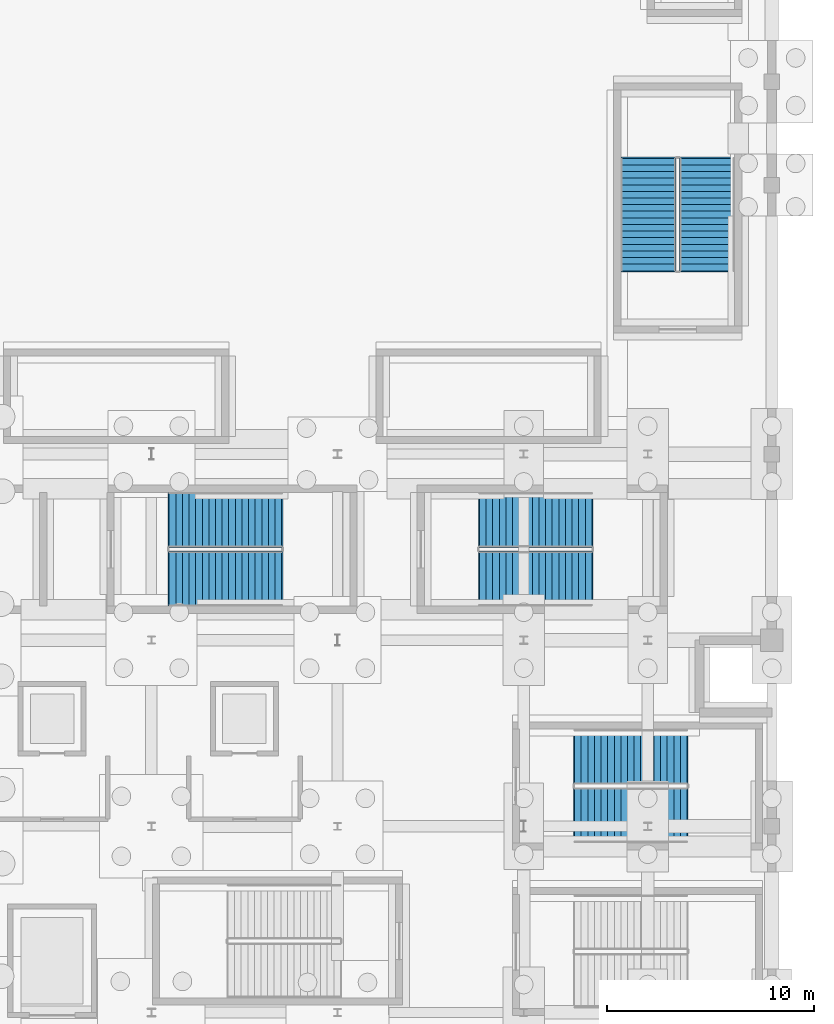
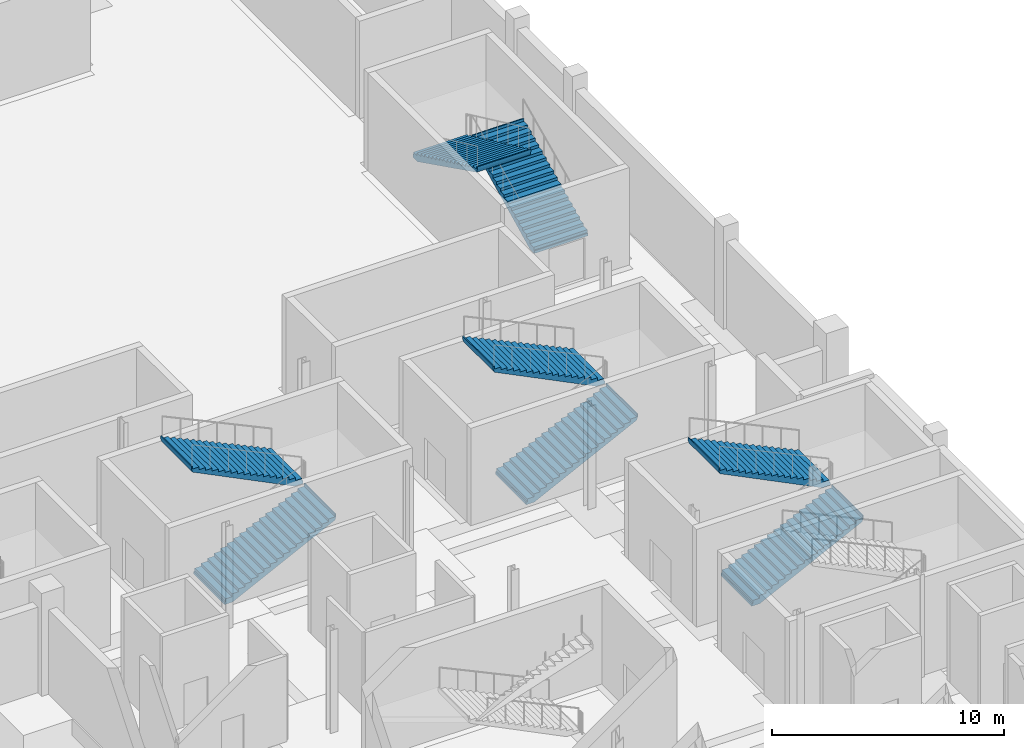
# One storey, part 48 of 58: 8 stair flights, 4 elements without a shape of their own.
"""IFC4 building model written with IfcOpenShell, lengths in metres."""

import ifcopenshell
import ifcopenshell.guid

model = None  # the IFC model being written
_history = None  # IfcOwnerHistory: only IFC2X3 demands one
_inside = {}  # id of a spatial element -> (the spatial element, [elements in it])
_under = {}  # id of a project, library or spatial element -> (it, [spatial elements below it])
_declared = {}  # id of a project -> (the project, [libraries it declares])
_typed = {}  # id of a type object -> (the type object, [elements of that type])
_made_of = {}  # id of a material, layer set ... -> (it, [elements and type objects made of it])


def new_model(schema):
    """Start an empty IFC model of exactly this schema.

    Asked for "IFC4X3", IfcOpenShell would pick the latest addendum, in which some entities
    have other attributes; the version numbers below select the first issue.
    IFC2X3 requires an IfcOwnerHistory on every rooted entity: one is made here for all.
    """
    global model, _history
    if schema == "IFC4X3":
        model = ifcopenshell.file(schema_version=(4, 3, 0, 0))
    else:
        model = ifcopenshell.file(schema=schema)
    _inside.clear()
    _under.clear()
    _declared.clear()
    _typed.clear()
    _made_of.clear()
    _history = None
    if model.schema == "IFC2X3":
        org = make("IfcOrganization", Name="unknown")
        user = make(
            "IfcPersonAndOrganization",
            ThePerson=make("IfcPerson", FamilyName="unknown"),
            TheOrganization=org,
        )
        app = make(
            "IfcApplication",
            ApplicationDeveloper=org,
            Version="unknown",
            ApplicationFullName="unknown",
            ApplicationIdentifier="unknown",
        )
        _history = make(
            "IfcOwnerHistory",
            OwningUser=user,
            OwningApplication=app,
            ChangeAction="ADDED",
            CreationDate=0,
        )
    return model


def make(cls, **values):
    """One entity of the class cls with the attributes given. An attribute that is None is left unset."""
    return model.create_entity(
        cls, **{name: value for name, value in values.items() if value is not None}
    )


def rooted(cls, **values):
    """An entity with a GlobalId (a new one), such as an element, a storey or a relation."""
    return make(cls, GlobalId=ifcopenshell.guid.new(), OwnerHistory=_history, **values)


def si_unit(unit_type, name, prefix=None):
    """IfcSIUnit, for example si_unit("LENGTHUNIT", "METRE", prefix="MILLI")."""
    return make("IfcSIUnit", UnitType=unit_type, Prefix=prefix, Name=name)


def assignment(units):
    """IfcUnitAssignment: the units of a project."""
    return None if units is None else make("IfcUnitAssignment", Units=units)


def point(xyz):
    """IfcCartesianPoint."""
    return None if xyz is None else make("IfcCartesianPoint", Coordinates=xyz)


def direction(xyz):
    """IfcDirection."""
    return None if xyz is None else make("IfcDirection", DirectionRatios=xyz)


def frame(location, z_axis=None, x_axis=None):
    """IfcAxis2Placement3D, a coordinate frame: its origin and axes. An axis left out is left unset."""
    return make(
        "IfcAxis2Placement3D",
        Location=point(location),
        Axis=direction(z_axis),
        RefDirection=direction(x_axis),
    )


def origin():
    """The frame at (0, 0, 0) with its axes left unset."""
    return frame((0.0, 0.0, 0.0))


def place(relative_to, where):
    """IfcLocalPlacement: puts the frame where relative to a parent placement (None: the world)."""
    return make(
        "IfcLocalPlacement", PlacementRelTo=relative_to, RelativePlacement=where
    )


def context(
    kind, dimensions, precision=None, world=None, true_north=None, identifier=None
):
    """IfcGeometricRepresentationContext, for example the 3D "Model" context."""
    return make(
        "IfcGeometricRepresentationContext",
        ContextIdentifier=identifier,
        ContextType=kind,
        CoordinateSpaceDimension=dimensions,
        Precision=precision,
        WorldCoordinateSystem=world,
        TrueNorth=true_north,
    )


def subcontext(parent, identifier, kind, view, scale=None):
    """IfcGeometricRepresentationSubContext, for example "Body" below "Model"."""
    return make(
        "IfcGeometricRepresentationSubContext",
        ContextIdentifier=identifier,
        ContextType=kind,
        ParentContext=parent,
        TargetScale=scale,
        TargetView=view,
    )


def project(units=None, contexts=None):
    """IfcProject with its units and contexts."""
    return rooted(
        "IfcProject",
        Name="project",
        RepresentationContexts=contexts,
        UnitsInContext=assignment(units),
    )


def spatial(cls, under=None, at=None, **own):
    """A site, building, storey or space (cls), placed at a placement, below another one or the project."""
    s = rooted(cls, ObjectPlacement=at, **own)
    if under is not None:
        _under.setdefault(under.id(), (under, []))[1].append(s)
    return s


def polyline(points):
    """IfcPolyline through the points."""
    return make("IfcPolyline", Points=[point(p) for p in points])


def outline(outer, holes=None, kind="AREA"):
    """IfcArbitraryClosedProfileDef: a profile drawn as a closed curve; with holes, ...WithVoids."""
    if holes is None:
        return make("IfcArbitraryClosedProfileDef", ProfileType=kind, OuterCurve=outer)
    return make(
        "IfcArbitraryProfileDefWithVoids",
        ProfileType=kind,
        OuterCurve=outer,
        InnerCurves=holes,
    )


def extrude(swept, where, along, depth):
    """IfcExtrudedAreaSolid: the profile swept, set in the frame where, extruded along a direction by depth."""
    return make(
        "IfcExtrudedAreaSolid",
        SweptArea=swept,
        Position=where,
        ExtrudedDirection=direction(along),
        Depth=depth,
    )


def shape(context_of_items, identifier, shape_type, items):
    """IfcShapeRepresentation: the items that make up one representation, for example the "Body"."""
    return make(
        "IfcShapeRepresentation",
        ContextOfItems=context_of_items,
        RepresentationIdentifier=identifier,
        RepresentationType=shape_type,
        Items=items,
    )


def material(Name=None, Category=None):
    """IfcMaterial."""
    return make("IfcMaterial", Name=Name, Category=Category)


def made_of(thing, what):
    """Note that an element or type object is made of a material, layer set ...; save() writes the relation."""
    if what is not None:
        _made_of.setdefault(what.id(), (what, []))[1].append(thing)
    return thing


def type_object(cls, material=None, **own):
    """A type object (cls), such as IfcWallType, which elements share."""
    return made_of(rooted(cls, **own), material)


def element(
    cls,
    number,
    at=None,
    inside=None,
    cuts=None,
    type_object=None,
    material=None,
    context=None,
    identifier="Body",
    shape_type=None,
    held_by="IfcProductDefinitionShape",
    body=None,
    shapes=None,
    **own,
):
    """One element of the class cls, such as IfcWall. Its Tag is "e" and its number.

    at: its placement. inside: the storey or other place that contains it. cuts: it is an
    opening in that element (IfcRelVoidsElement). A single representation is given by context,
    identifier, shape_type and body (its items); several are given by shapes. held_by: the class
    of the entity that holds the representations. save() writes the other relations.
    """
    e = rooted(cls, Tag="e%d" % number, ObjectPlacement=at, **own)
    if body is not None:
        shapes = [shape(context, identifier, shape_type, body)]
    if shapes is not None:
        e.Representation = make(held_by, Representations=shapes)
    if inside is not None:
        _inside.setdefault(inside.id(), (inside, []))[1].append(e)
    if cuts is not None:
        rooted(
            "IfcRelVoidsElement", RelatingBuildingElement=cuts, RelatedOpeningElement=e
        )
    if type_object is not None:
        _typed.setdefault(type_object.id(), (type_object, []))[1].append(e)
    return made_of(e, material)


def aggregate(whole, parts):
    """IfcRelAggregates: a whole, such as a stair, and the parts it consists of."""
    return rooted("IfcRelAggregates", RelatingObject=whole, RelatedObjects=parts)


def save(model, path):
    """Write the relations noted so far, then the file.

    IfcRelAggregates (storeys below a building ...), IfcRelContainedInSpatialStructure (elements
    in a storey), IfcRelDefinesByType, IfcRelAssociatesMaterial and IfcRelDeclares: one each for
    every whole, place, type object, material and project.
    """
    for whole, parts in _under.values():
        aggregate(whole, parts)
    for where, things in _inside.values():
        rooted(
            "IfcRelContainedInSpatialStructure",
            RelatedElements=things,
            RelatingStructure=where,
        )
    for kind, things in _typed.values():
        rooted("IfcRelDefinesByType", RelatedObjects=things, RelatingType=kind)
    for what, things in _made_of.values():
        rooted("IfcRelAssociatesMaterial", RelatedObjects=things, RelatingMaterial=what)
    for by, libraries in _declared.values():
        rooted("IfcRelDeclares", RelatingContext=by, RelatedDefinitions=libraries)
    model.write(path)


model = new_model("IFC4")

# Units and contexts
model_context = context("Model", 3, precision=1e-05, world=origin(), true_north=direction((0.0, 1.0)))
body_context = subcontext(model_context, "Body", "Model", "MODEL_VIEW")
ifc_project = project(units=[si_unit("LENGTHUNIT", "METRE"), si_unit("AREAUNIT", "SQUARE_METRE"), si_unit("VOLUMEUNIT", "CUBIC_METRE"), si_unit("PLANEANGLEUNIT", "RADIAN"), si_unit("MASSUNIT", "GRAM", prefix="KILO")], contexts=[model_context])

# Site, building, storey
site_placement = place(None, origin())
site = spatial("IfcSite", under=ifc_project, at=site_placement, CompositionType="ELEMENT")
building_placement = place(site_placement, origin())
building = spatial("IfcBuilding", under=site, at=building_placement, Name="Qamarlyn Nura Convention Centre", CompositionType="ELEMENT")
storey_placement = place(building_placement, frame((0.0, 0.0, -5.39990234375)))
storey = spatial("IfcBuildingStorey", under=building, at=storey_placement, Name="B01", CompositionType="ELEMENT", Elevation=-5.39990234375)

# Stair, stair flights
ifc_material = material(Name="Concrete C40/50", Category="concrete")
stair_type = type_object("IfcStairType", Name="STAIR-EXIT-54", PredefinedType="HALF_TURN_STAIR", material=ifc_material)
stair_1_placement = place(storey_placement, origin())
stair_1 = element("IfcStair", 1, at=stair_1_placement, inside=storey, type_object=stair_type, Name="B01 Enclosed exit stair ST-14", PredefinedType="HALF_TURN_STAIR")
stair_flight_type = type_object("IfcStairFlightType", Name="FLIGHT-EXIT-54", PredefinedType="STRAIGHT", material=ifc_material)
stair_flight_1_placement = place(storey_placement, frame((182.4599609375, 72.530029296875, 0.0), z_axis=(0.0, 0.0, 1.0), x_axis=(1.0, 0.0, 0.0)))
stair_flight_1 = element("IfcStairFlight", 2, at=stair_flight_1_placement, type_object=stair_flight_type, Name="ST-14 flight 1", NumberOfRisers=18, NumberOfTreads=17, PredefinedType="STRAIGHT", RiserHeight=0.15, TreadLength=0.32, context=body_context, shape_type="SweptSolid", body=[
    extrude(outline(polyline([(-0.054931640625, 0.0), (0.0, 0.0), (0.0, 0.14990234375), (0.320068359375, 0.14990234375), (0.320068359375, 0.300048828125), (0.639892578125, 0.300048828125), (0.639892578125, 0.449951171875), (0.9599609375, 0.449951171875), (0.9599609375, 0.60009765625), (1.280029296875, 0.60009765625), (1.280029296875, 0.75), (1.60009765625, 0.75), (1.60009765625, 0.89990234375), (1.919921875, 0.89990234375), (1.919921875, 1.050048828125), (2.239990234375, 1.050048828125), (2.239990234375, 1.199951171875), (2.56005859375, 1.199951171875), (2.56005859375, 1.35009765625), (2.8798828125, 1.35009765625), (2.8798828125, 1.5), (3.199951171875, 1.5), (3.199951171875, 1.64990234375), (3.52001953125, 1.64990234375), (3.52001953125, 1.800048828125), (3.840087890625, 1.800048828125), (3.840087890625, 1.949951171875), (4.159912109375, 1.949951171875), (4.159912109375, 2.10009765625), (4.47998046875, 2.10009765625), (4.47998046875, 2.25), (4.800048828125, 2.25), (4.800048828125, 2.39990234375), (5.1201171875, 2.39990234375), (5.1201171875, 2.550048828125), (5.43994140625, 2.550048828125), (5.43994140625, 2.699951171875), (5.494873046875, 2.699951171875), (5.494873046875, 2.56005859375), (5.43994140625, 2.384521484375), (0.353271484375, -0.139892578125), (-0.054931640625, -0.139892578125), (-0.054931640625, 0.0)])), frame((0.0, 1.330078125, 0.0), z_axis=(0.0, -1.0, 0.0), x_axis=(1.0, 0.0, 0.0)), (0.0, 0.0, 1.0), 2.659912109375),
])
stair_flight_2_placement = place(storey_placement, frame((187.89990234375, 75.3701171875, 2.699951171875), z_axis=(0.0, 0.0, 1.0), x_axis=(-1.0, 0.0, 0.0)))
stair_flight_2 = element("IfcStairFlight", 3, at=stair_flight_2_placement, type_object=stair_flight_type, Name="ST-14 flight 2", NumberOfRisers=18, NumberOfTreads=17, PredefinedType="STRAIGHT", RiserHeight=0.15, TreadLength=0.32, context=body_context, shape_type="SweptSolid", body=[
    extrude(outline(polyline([(-0.054931640625, 0.0), (0.0, 0.0), (0.0, 0.14990234375), (0.320068359375, 0.14990234375), (0.320068359375, 0.300048828125), (0.639892578125, 0.300048828125), (0.639892578125, 0.449951171875), (0.9599609375, 0.449951171875), (0.9599609375, 0.60009765625), (1.280029296875, 0.60009765625), (1.280029296875, 0.75), (1.60009765625, 0.75), (1.60009765625, 0.89990234375), (1.919921875, 0.89990234375), (1.919921875, 1.050048828125), (2.239990234375, 1.050048828125), (2.239990234375, 1.199951171875), (2.56005859375, 1.199951171875), (2.56005859375, 1.35009765625), (2.8798828125, 1.35009765625), (2.8798828125, 1.5), (3.199951171875, 1.5), (3.199951171875, 1.64990234375), (3.52001953125, 1.64990234375), (3.52001953125, 1.800048828125), (3.840087890625, 1.800048828125), (3.840087890625, 1.949951171875), (4.159912109375, 1.949951171875), (4.159912109375, 2.10009765625), (4.47998046875, 2.10009765625), (4.47998046875, 2.25), (4.800048828125, 2.25), (4.800048828125, 2.39990234375), (5.1201171875, 2.39990234375), (5.1201171875, 2.550048828125), (5.43994140625, 2.550048828125), (5.43994140625, 2.699951171875), (5.494873046875, 2.699951171875), (5.494873046875, 2.56005859375), (5.43994140625, 2.384521484375), (0.353271484375, -0.139892578125), (-0.054931640625, -0.139892578125), (-0.054931640625, 0.0)])), frame((0.0, 1.330078125, 0.0), z_axis=(0.0, -1.0, 0.0), x_axis=(1.0, 0.0, 0.0)), (0.0, 0.0, 1.0), 2.659912109375),
])
aggregate(stair_1, [stair_flight_1, stair_flight_2])

stair_2_placement = place(storey_placement, origin())
stair_2 = element("IfcStair", 4, at=stair_2_placement, inside=storey, type_object=stair_type, Name="B01 Enclosed exit stair ST-16", PredefinedType="HALF_TURN_STAIR")
stair_flight_3_placement = place(storey_placement, frame((162.860107421875, 83.97998046875, 0.0), z_axis=(0.0, 0.0, 1.0), x_axis=(1.0, 0.0, 0.0)))
stair_flight_3 = element("IfcStairFlight", 5, at=stair_flight_3_placement, type_object=stair_flight_type, Name="ST-16 flight 1", NumberOfRisers=18, NumberOfTreads=17, PredefinedType="STRAIGHT", RiserHeight=0.15, TreadLength=0.32, context=body_context, shape_type="SweptSolid", body=[
    extrude(outline(polyline([(-0.054931640625, 0.0), (0.0, 0.0), (0.0, 0.14990234375), (0.320068359375, 0.14990234375), (0.320068359375, 0.300048828125), (0.639892578125, 0.300048828125), (0.639892578125, 0.449951171875), (0.9599609375, 0.449951171875), (0.9599609375, 0.60009765625), (1.280029296875, 0.60009765625), (1.280029296875, 0.75), (1.60009765625, 0.75), (1.60009765625, 0.89990234375), (1.919921875, 0.89990234375), (1.919921875, 1.050048828125), (2.239990234375, 1.050048828125), (2.239990234375, 1.199951171875), (2.56005859375, 1.199951171875), (2.56005859375, 1.35009765625), (2.8798828125, 1.35009765625), (2.8798828125, 1.5), (3.199951171875, 1.5), (3.199951171875, 1.64990234375), (3.52001953125, 1.64990234375), (3.52001953125, 1.800048828125), (3.840087890625, 1.800048828125), (3.840087890625, 1.949951171875), (4.159912109375, 1.949951171875), (4.159912109375, 2.10009765625), (4.47998046875, 2.10009765625), (4.47998046875, 2.25), (4.800048828125, 2.25), (4.800048828125, 2.39990234375), (5.1201171875, 2.39990234375), (5.1201171875, 2.550048828125), (5.43994140625, 2.550048828125), (5.43994140625, 2.699951171875), (5.494873046875, 2.699951171875), (5.494873046875, 2.56005859375), (5.43994140625, 2.384521484375), (0.353271484375, -0.139892578125), (-0.054931640625, -0.139892578125), (-0.054931640625, 0.0)])), frame((0.0, 1.330078125, 0.0), z_axis=(0.0, -1.0, 0.0), x_axis=(1.0, 0.0, 0.0)), (0.0, 0.0, 1.0), 2.659912109375),
])
stair_flight_4_placement = place(storey_placement, frame((168.300048828125, 86.820068359375, 2.699951171875), z_axis=(0.0, 0.0, 1.0), x_axis=(-1.0, 0.0, 0.0)))
stair_flight_4 = element("IfcStairFlight", 6, at=stair_flight_4_placement, type_object=stair_flight_type, Name="ST-16 flight 2", NumberOfRisers=18, NumberOfTreads=17, PredefinedType="STRAIGHT", RiserHeight=0.15, TreadLength=0.32, context=body_context, shape_type="SweptSolid", body=[
    extrude(outline(polyline([(-0.054931640625, 0.0), (0.0, 0.0), (0.0, 0.14990234375), (0.320068359375, 0.14990234375), (0.320068359375, 0.300048828125), (0.639892578125, 0.300048828125), (0.639892578125, 0.449951171875), (0.9599609375, 0.449951171875), (0.9599609375, 0.60009765625), (1.280029296875, 0.60009765625), (1.280029296875, 0.75), (1.60009765625, 0.75), (1.60009765625, 0.89990234375), (1.919921875, 0.89990234375), (1.919921875, 1.050048828125), (2.239990234375, 1.050048828125), (2.239990234375, 1.199951171875), (2.56005859375, 1.199951171875), (2.56005859375, 1.35009765625), (2.8798828125, 1.35009765625), (2.8798828125, 1.5), (3.199951171875, 1.5), (3.199951171875, 1.64990234375), (3.52001953125, 1.64990234375), (3.52001953125, 1.800048828125), (3.840087890625, 1.800048828125), (3.840087890625, 1.949951171875), (4.159912109375, 1.949951171875), (4.159912109375, 2.10009765625), (4.47998046875, 2.10009765625), (4.47998046875, 2.25), (4.800048828125, 2.25), (4.800048828125, 2.39990234375), (5.1201171875, 2.39990234375), (5.1201171875, 2.550048828125), (5.43994140625, 2.550048828125), (5.43994140625, 2.699951171875), (5.494873046875, 2.699951171875), (5.494873046875, 2.56005859375), (5.43994140625, 2.384521484375), (0.353271484375, -0.139892578125), (-0.054931640625, -0.139892578125), (-0.054931640625, 0.0)])), frame((0.0, 1.330078125, 0.0), z_axis=(0.0, -1.0, 0.0), x_axis=(1.0, 0.0, 0.0)), (0.0, 0.0, 1.0), 2.659912109375),
])
aggregate(stair_2, [stair_flight_3, stair_flight_4])

stair_3_placement = place(storey_placement, origin())
stair_3 = element("IfcStair", 7, at=stair_3_placement, inside=storey, type_object=stair_type, Name="B01 Enclosed exit stair ST-17", PredefinedType="HALF_TURN_STAIR")
stair_flight_5_placement = place(storey_placement, frame((177.860107421875, 83.97998046875, 0.0), z_axis=(0.0, 0.0, 1.0), x_axis=(1.0, 0.0, 0.0)))
stair_flight_5 = element("IfcStairFlight", 8, at=stair_flight_5_placement, type_object=stair_flight_type, Name="ST-17 flight 1", NumberOfRisers=18, NumberOfTreads=17, PredefinedType="STRAIGHT", RiserHeight=0.15, TreadLength=0.32, context=body_context, shape_type="SweptSolid", body=[
    extrude(outline(polyline([(-0.054931640625, 0.0), (0.0, 0.0), (0.0, 0.14990234375), (0.320068359375, 0.14990234375), (0.320068359375, 0.300048828125), (0.639892578125, 0.300048828125), (0.639892578125, 0.449951171875), (0.9599609375, 0.449951171875), (0.9599609375, 0.60009765625), (1.280029296875, 0.60009765625), (1.280029296875, 0.75), (1.60009765625, 0.75), (1.60009765625, 0.89990234375), (1.919921875, 0.89990234375), (1.919921875, 1.050048828125), (2.239990234375, 1.050048828125), (2.239990234375, 1.199951171875), (2.56005859375, 1.199951171875), (2.56005859375, 1.35009765625), (2.8798828125, 1.35009765625), (2.8798828125, 1.5), (3.199951171875, 1.5), (3.199951171875, 1.64990234375), (3.52001953125, 1.64990234375), (3.52001953125, 1.800048828125), (3.840087890625, 1.800048828125), (3.840087890625, 1.949951171875), (4.159912109375, 1.949951171875), (4.159912109375, 2.10009765625), (4.47998046875, 2.10009765625), (4.47998046875, 2.25), (4.800048828125, 2.25), (4.800048828125, 2.39990234375), (5.1201171875, 2.39990234375), (5.1201171875, 2.550048828125), (5.43994140625, 2.550048828125), (5.43994140625, 2.699951171875), (5.494873046875, 2.699951171875), (5.494873046875, 2.56005859375), (5.43994140625, 2.384521484375), (0.353271484375, -0.139892578125), (-0.054931640625, -0.139892578125), (-0.054931640625, 0.0)])), frame((0.0, 1.330078125, 0.0), z_axis=(0.0, -1.0, 0.0), x_axis=(1.0, 0.0, 0.0)), (0.0, 0.0, 1.0), 2.659912109375),
])
stair_flight_6_placement = place(storey_placement, frame((183.300048828125, 86.820068359375, 2.699951171875), z_axis=(0.0, 0.0, 1.0), x_axis=(-1.0, 0.0, 0.0)))
stair_flight_6 = element("IfcStairFlight", 9, at=stair_flight_6_placement, type_object=stair_flight_type, Name="ST-17 flight 2", NumberOfRisers=18, NumberOfTreads=17, PredefinedType="STRAIGHT", RiserHeight=0.15, TreadLength=0.32, context=body_context, shape_type="SweptSolid", body=[
    extrude(outline(polyline([(-0.054931640625, 0.0), (0.0, 0.0), (0.0, 0.14990234375), (0.320068359375, 0.14990234375), (0.320068359375, 0.300048828125), (0.639892578125, 0.300048828125), (0.639892578125, 0.449951171875), (0.9599609375, 0.449951171875), (0.9599609375, 0.60009765625), (1.280029296875, 0.60009765625), (1.280029296875, 0.75), (1.60009765625, 0.75), (1.60009765625, 0.89990234375), (1.919921875, 0.89990234375), (1.919921875, 1.050048828125), (2.239990234375, 1.050048828125), (2.239990234375, 1.199951171875), (2.56005859375, 1.199951171875), (2.56005859375, 1.35009765625), (2.8798828125, 1.35009765625), (2.8798828125, 1.5), (3.199951171875, 1.5), (3.199951171875, 1.64990234375), (3.52001953125, 1.64990234375), (3.52001953125, 1.800048828125), (3.840087890625, 1.800048828125), (3.840087890625, 1.949951171875), (4.159912109375, 1.949951171875), (4.159912109375, 2.10009765625), (4.47998046875, 2.10009765625), (4.47998046875, 2.25), (4.800048828125, 2.25), (4.800048828125, 2.39990234375), (5.1201171875, 2.39990234375), (5.1201171875, 2.550048828125), (5.43994140625, 2.550048828125), (5.43994140625, 2.699951171875), (5.494873046875, 2.699951171875), (5.494873046875, 2.56005859375), (5.43994140625, 2.384521484375), (0.353271484375, -0.139892578125), (-0.054931640625, -0.139892578125), (-0.054931640625, 0.0)])), frame((0.0, 1.330078125, 0.0), z_axis=(0.0, -1.0, 0.0), x_axis=(1.0, 0.0, 0.0)), (0.0, 0.0, 1.0), 2.659912109375),
])
aggregate(stair_3, [stair_flight_5, stair_flight_6])

stair_4_placement = place(storey_placement, origin())
stair_4 = element("IfcStair", 10, at=stair_4_placement, inside=storey, type_object=stair_type, Name="B01 Enclosed exit stair ST-18", PredefinedType="HALF_TURN_STAIR")
stair_flight_7_placement = place(storey_placement, frame((188.8701171875, 98.860107421875, 0.0), z_axis=(0.0, 0.0, 1.0), x_axis=(0.0, 1.0, 0.0)))
stair_flight_7 = element("IfcStairFlight", 11, at=stair_flight_7_placement, type_object=stair_flight_type, Name="ST-18 flight 1", NumberOfRisers=18, NumberOfTreads=17, PredefinedType="STRAIGHT", RiserHeight=0.15, TreadLength=0.32, context=body_context, shape_type="SweptSolid", body=[
    extrude(outline(polyline([(-0.054931640625, 0.0), (0.0, 0.0), (0.0, 0.14990234375), (0.320068359375, 0.14990234375), (0.320068359375, 0.300048828125), (0.639892578125, 0.300048828125), (0.639892578125, 0.449951171875), (0.9599609375, 0.449951171875), (0.9599609375, 0.60009765625), (1.280029296875, 0.60009765625), (1.280029296875, 0.75), (1.60009765625, 0.75), (1.60009765625, 0.89990234375), (1.919921875, 0.89990234375), (1.919921875, 1.050048828125), (2.239990234375, 1.050048828125), (2.239990234375, 1.199951171875), (2.56005859375, 1.199951171875), (2.56005859375, 1.35009765625), (2.8798828125, 1.35009765625), (2.8798828125, 1.5), (3.199951171875, 1.5), (3.199951171875, 1.64990234375), (3.52001953125, 1.64990234375), (3.52001953125, 1.800048828125), (3.840087890625, 1.800048828125), (3.840087890625, 1.949951171875), (4.159912109375, 1.949951171875), (4.159912109375, 2.10009765625), (4.47998046875, 2.10009765625), (4.47998046875, 2.25), (4.800048828125, 2.25), (4.800048828125, 2.39990234375), (5.1201171875, 2.39990234375), (5.1201171875, 2.550048828125), (5.43994140625, 2.550048828125), (5.43994140625, 2.699951171875), (5.494873046875, 2.699951171875), (5.494873046875, 2.56005859375), (5.43994140625, 2.384521484375), (0.353271484375, -0.139892578125), (-0.054931640625, -0.139892578125), (-0.054931640625, 0.0)])), frame((0.0, 1.330078125, 0.0), z_axis=(0.0, -1.0, 0.0), x_axis=(1.0, 0.0, 0.0)), (0.0, 0.0, 1.0), 2.659912109375),
])
stair_flight_8_placement = place(storey_placement, frame((186.030029296875, 104.300048828125, 2.699951171875), z_axis=(0.0, 0.0, 1.0), x_axis=(0.0, -1.0, 0.0)))
stair_flight_8 = element("IfcStairFlight", 12, at=stair_flight_8_placement, type_object=stair_flight_type, Name="ST-18 flight 2", NumberOfRisers=18, NumberOfTreads=17, PredefinedType="STRAIGHT", RiserHeight=0.15, TreadLength=0.32, context=body_context, shape_type="SweptSolid", body=[
    extrude(outline(polyline([(-0.054931640625, 0.0), (0.0, 0.0), (0.0, 0.14990234375), (0.320068359375, 0.14990234375), (0.320068359375, 0.300048828125), (0.639892578125, 0.300048828125), (0.639892578125, 0.449951171875), (0.9599609375, 0.449951171875), (0.9599609375, 0.60009765625), (1.280029296875, 0.60009765625), (1.280029296875, 0.75), (1.60009765625, 0.75), (1.60009765625, 0.89990234375), (1.919921875, 0.89990234375), (1.919921875, 1.050048828125), (2.239990234375, 1.050048828125), (2.239990234375, 1.199951171875), (2.56005859375, 1.199951171875), (2.56005859375, 1.35009765625), (2.8798828125, 1.35009765625), (2.8798828125, 1.5), (3.199951171875, 1.5), (3.199951171875, 1.64990234375), (3.52001953125, 1.64990234375), (3.52001953125, 1.800048828125), (3.840087890625, 1.800048828125), (3.840087890625, 1.949951171875), (4.159912109375, 1.949951171875), (4.159912109375, 2.10009765625), (4.47998046875, 2.10009765625), (4.47998046875, 2.25), (4.800048828125, 2.25), (4.800048828125, 2.39990234375), (5.1201171875, 2.39990234375), (5.1201171875, 2.550048828125), (5.43994140625, 2.550048828125), (5.43994140625, 2.699951171875), (5.494873046875, 2.699951171875), (5.494873046875, 2.56005859375), (5.43994140625, 2.384521484375), (0.353271484375, -0.139892578125), (-0.054931640625, -0.139892578125), (-0.054931640625, 0.0)])), frame((0.0, 1.330078125, 0.0), z_axis=(0.0, -1.0, 0.0), x_axis=(1.0, 0.0, 0.0)), (0.0, 0.0, 1.0), 2.659912109375),
])
aggregate(stair_4, [stair_flight_7, stair_flight_8])

save(model, "model.ifc")
